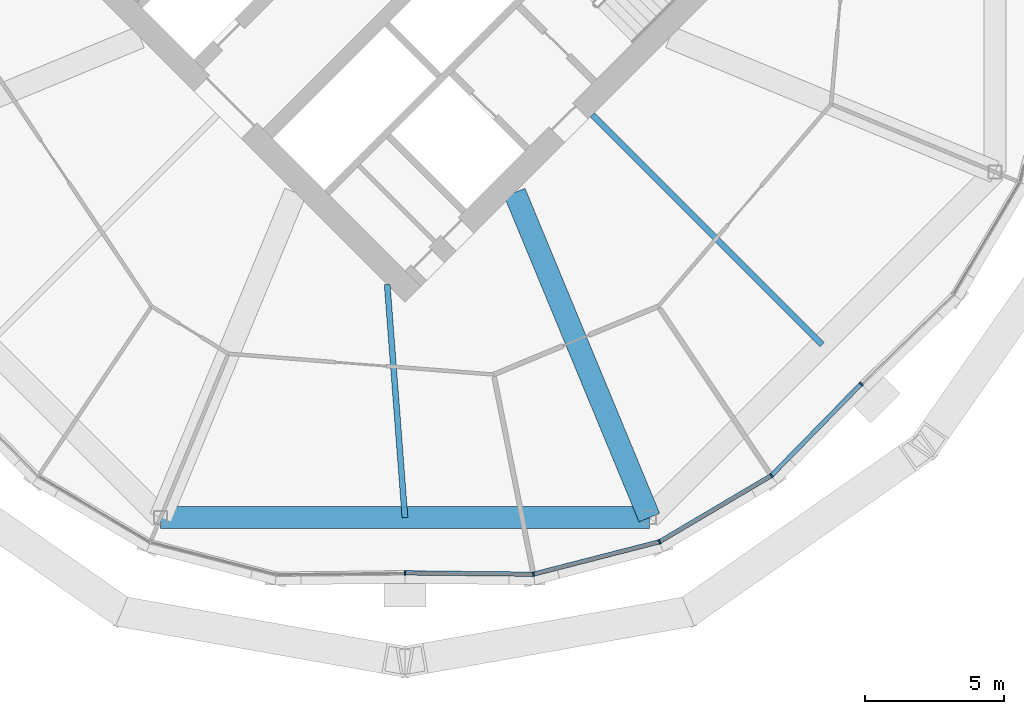
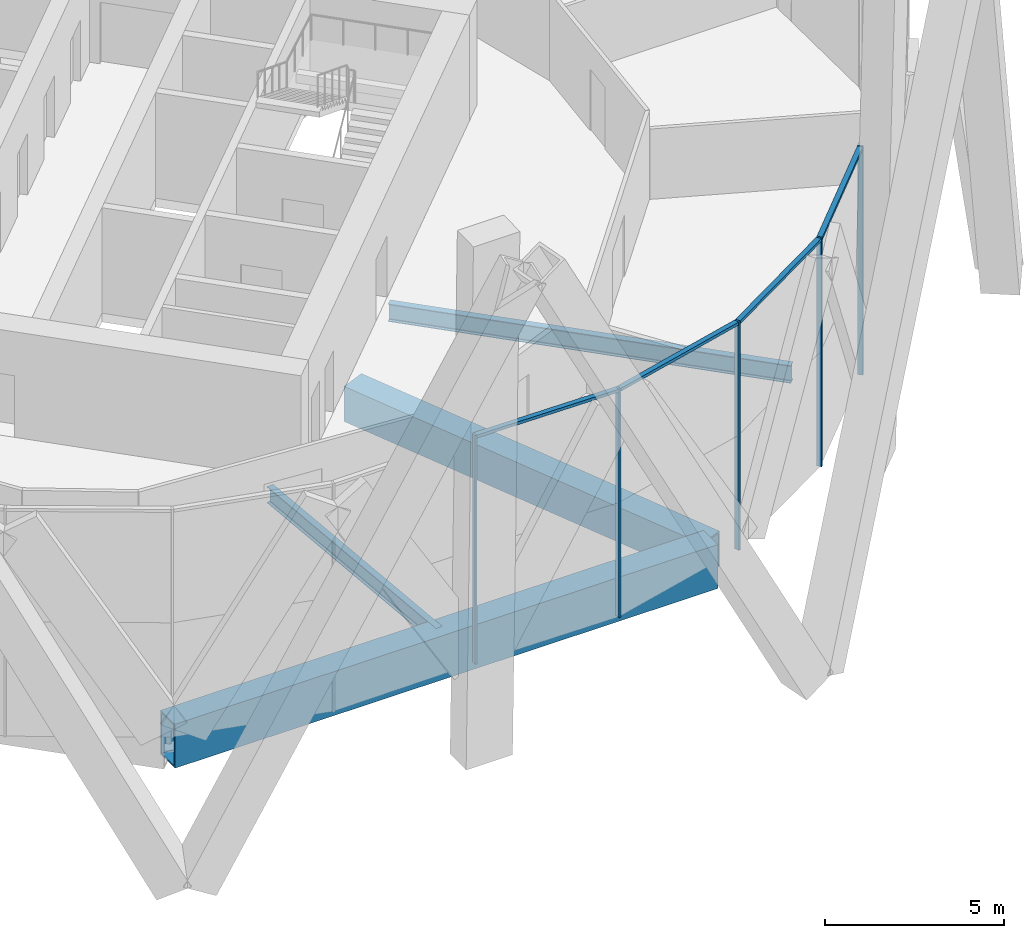
# One storey, part 12 of 31: 9 members, 4 beams, 2 elements without a shape of their own.
"""IFC4 building model written with IfcOpenShell, lengths in metres."""

from ifc_helpers import new_model, si_unit, direction, frame, origin, origin_2d, place, context, subcontext, project, spatial, rectangle, hollow_rectangle, i_section, extrude, material, material_profile, profile_set, type_object, element, aggregate, save


model = new_model("IFC4")

# Units and contexts
model_context = context("Model", 3, precision=1e-05, world=origin(), true_north=direction((0.0, 1.0)))
body_context = subcontext(model_context, "Body", "Model", "MODEL_VIEW")
ifc_project = project(units=[si_unit("LENGTHUNIT", "METRE"), si_unit("AREAUNIT", "SQUARE_METRE"), si_unit("VOLUMEUNIT", "CUBIC_METRE"), si_unit("PLANEANGLEUNIT", "RADIAN"), si_unit("MASSUNIT", "GRAM", prefix="KILO")], contexts=[model_context])

# Site, building, storey
site_placement = place(None, origin())
site = spatial("IfcSite", under=ifc_project, at=site_placement, CompositionType="ELEMENT")
building_placement = place(site_placement, origin())
building = spatial("IfcBuilding", under=site, at=building_placement, Name="Ogive Gate Towers", CompositionType="ELEMENT")
storey_placement = place(building_placement, frame((0.0, 0.0, 55.800048828125)))
storey = spatial("IfcBuildingStorey", under=building, at=storey_placement, Name="L12", CompositionType="ELEMENT", Elevation=55.800048828125)

# Beams
ifc_material_1 = material(Name="Steel SM460", Category="steel")
ifc_material_profile_1 = material_profile(ifc_material_1, hollow_rectangle(XDim=0.800048828125, YDim=1.5, WallThickness=0.06005859375, at=origin_2d()), Name="BX 1500x800x60")
ifc_profile_set_1 = profile_set([ifc_material_profile_1], Name="Steel SM460")
beam_type_1 = type_object("IfcBeamType", Name="Edge girder BX 1500x800x60", PredefinedType="BEAM", material=ifc_profile_set_1)
beam_1_placement = place(storey_placement, frame((27.236572265625, -21.15673828125, -1.050048828125), z_axis=(1.0, 0.0, 0.0), x_axis=(0.0, 1.0, 0.0)))
element("IfcBeam", 1, at=beam_1_placement, inside=storey, type_object=beam_type_1, Name="T2/L12/SBM018", PredefinedType="BEAM", context=body_context, shape_type="SweptSolid", body=[
    extrude(hollow_rectangle(XDim=0.800048828125, YDim=1.5, WallThickness=0.06005859375, at=origin_2d()), origin(), (0.0, 0.0, 1.0), 17.52685546875),
])
ifc_material_2 = material(Name="Steel SM355", Category="steel")
ifc_material_profile_2 = material_profile(ifc_material_2, i_section(OverallWidth=0.2099609375, OverallDepth=0.550048828125, WebThickness=0.010986328125, FlangeThickness=0.01708984375, FilletRadius=0.02392578125, at=origin_2d()), Name="IPE 550")
ifc_profile_set_2 = profile_set([ifc_material_profile_2], Name="Steel SM355")
beam_type_2 = type_object("IfcBeamType", Name="Radial floor beam IPE 550", PredefinedType="BEAM", material=ifc_profile_set_2)
beam_2_placement = place(storey_placement, frame((35.363525390625, -12.798583984375, -0.574951171875), z_axis=(0.075930303007, -0.997113127526, 0.0), x_axis=(0.997113127526, 0.075930303007, 0.0)))
element("IfcBeam", 2, at=beam_2_placement, inside=storey, type_object=beam_type_2, Name="T2/L12/SBM004", PredefinedType="BEAM", context=body_context, shape_type="SweptSolid", body=[
    extrude(i_section(OverallWidth=0.2099609375, OverallDepth=0.550048828125, WebThickness=0.010986328125, FlangeThickness=0.01708984375, FilletRadius=0.02392578125, at=origin_2d()), origin(), (0.0, 0.0, 1.0), 8.38232421875),
])
ifc_material_profile_3 = material_profile(ifc_material_2, i_section(OverallWidth=0.219970703125, OverallDepth=0.60009765625, WebThickness=0.011962890625, FlangeThickness=0.01904296875, FilletRadius=0.02392578125, at=origin_2d()), Name="IPE 600")
ifc_profile_set_3 = profile_set([ifc_material_profile_3], Name="Steel SM355")
beam_type_3 = type_object("IfcBeamType", Name="Radial floor beam IPE 600", PredefinedType="BEAM", material=ifc_profile_set_3)
beam_3_placement = place(storey_placement, frame((42.717529296875, -6.717529296875, -0.60009765625), z_axis=(0.707106781187, -0.707106781187, 0.0), x_axis=(0.707106781187, 0.707106781187, 0.0)))
element("IfcBeam", 3, at=beam_3_placement, inside=storey, type_object=beam_type_3, Name="T2/L12/SBM006", PredefinedType="BEAM", context=body_context, shape_type="SweptSolid", body=[
    extrude(i_section(OverallWidth=0.219970703125, OverallDepth=0.60009765625, WebThickness=0.011962890625, FlangeThickness=0.01904296875, FilletRadius=0.02392578125, at=origin_2d()), origin(), (0.0, 0.0, 1.0), 11.656982421875),
])

# Curtain wall, member
ifc_material_3 = material(Name="Pale metal aluminium", Category="aluminium")
curtain_wall_type = type_object("IfcCurtainWallType", Name="Tower unitised wall, low zone", PredefinedType="NOTDEFINED", material=ifc_material_3)
curtain_wall_1_placement = place(storey_placement, origin())
curtain_wall_1 = element("IfcCurtainWall", 4, at=curtain_wall_1_placement, inside=storey, type_object=curtain_wall_type, Name="CW1 T2 ECW06", PredefinedType="NOTDEFINED")
ifc_material_profile_4 = material_profile(ifc_material_3, rectangle(XDim=0.159912109375, YDim=0.06005859375, at=origin_2d()), Name="60 x 160 aluminium box")
ifc_profile_set_4 = profile_set([ifc_material_profile_4], Name="Pale metal aluminium")
member_type_1 = type_object("IfcMemberType", Name="Tower unitised wall, low zone mullion 60 x 160", PredefinedType="MULLION", material=ifc_profile_set_4)
member_1_placement = place(storey_placement, frame((35.999755859375, -23.139892578125, -0.300048828125), z_axis=(0.0, 0.0, 1.0), x_axis=(0.010279808233, -0.999947161375, 0.0)))
member_1 = element("IfcMember", 5, at=member_1_placement, type_object=member_type_1, Name="CW1 mullion", PredefinedType="MULLION", context=body_context, shape_type="SweptSolid", body=[
    extrude(rectangle(XDim=0.159912109375, YDim=0.06005859375, at=origin_2d()), origin(), (0.0, 0.0, 1.0), 7.800048828125),
])
aggregate(curtain_wall_1, [member_1])

# Curtain wall, members
curtain_wall_2_placement = place(storey_placement, origin())
curtain_wall_2 = element("IfcCurtainWall", 6, at=curtain_wall_2_placement, inside=storey, type_object=curtain_wall_type, Name="CW1 T2 ECW07", PredefinedType="NOTDEFINED")
member_2_placement = place(storey_placement, frame((40.606201171875, -23.1875, -0.300048828125), z_axis=(0.0, 0.0, 1.0), x_axis=(0.120379411626, -0.992727957326, 0.0)))
member_2 = element("IfcMember", 7, at=member_2_placement, type_object=member_type_1, Name="CW1 mullion", PredefinedType="MULLION", context=body_context, shape_type="SweptSolid", body=[
    extrude(rectangle(XDim=0.159912109375, YDim=0.06005859375, at=origin_2d()), origin(), (0.0, 0.0, 1.0), 7.800048828125),
])
member_3_placement = place(storey_placement, frame((45.12353515625, -22.026123046875, -0.300048828125), z_axis=(0.0, 0.0, 1.0), x_axis=(0.382683432365, -0.923879532511, 0.0)))
member_3 = element("IfcMember", 8, at=member_3_placement, type_object=member_type_1, Name="CW1 mullion", PredefinedType="MULLION", context=body_context, shape_type="SweptSolid", body=[
    extrude(rectangle(XDim=0.159912109375, YDim=0.06005859375, at=origin_2d()), origin(), (0.0, 0.0, 1.0), 7.800048828125),
])
member_4_placement = place(storey_placement, frame((49.13916015625, -19.653076171875, -0.300048828125), z_axis=(0.0, 0.0, 1.0), x_axis=(0.616843572223, -0.787085768775, 0.0)))
member_4 = element("IfcMember", 9, at=member_4_placement, type_object=member_type_1, Name="CW1 mullion", PredefinedType="MULLION", context=body_context, shape_type="SweptSolid", body=[
    extrude(rectangle(XDim=0.159912109375, YDim=0.06005859375, at=origin_2d()), origin(), (0.0, 0.0, 1.0), 7.800048828125),
])
member_5_placement = place(storey_placement, frame((52.3623046875, -16.362548828125, -0.300048828125), z_axis=(0.0, 0.0, 1.0), x_axis=(0.714350554462, -0.699788028863, 0.0)))
member_5 = element("IfcMember", 10, at=member_5_placement, type_object=member_type_1, Name="CW1 mullion", PredefinedType="MULLION", context=body_context, shape_type="SweptSolid", body=[
    extrude(rectangle(XDim=0.159912109375, YDim=0.06005859375, at=origin_2d()), origin(), (0.0, 0.0, 1.0), 7.800048828125),
])
ifc_material_profile_5 = material_profile(ifc_material_3, rectangle(XDim=0.159912109375, YDim=0.10009765625, at=origin_2d()), Name="100 x 160 aluminium box")
ifc_profile_set_5 = profile_set([ifc_material_profile_5], Name="Pale metal aluminium")
member_type_2 = type_object("IfcMemberType", Name="Tower unitised wall, low zone transom 100 x 160", PredefinedType="USERDEFINED", material=ifc_profile_set_5)
member_6_placement = place(storey_placement, frame((36.0302734375, -23.140380859375, 7.449951171875), z_axis=(0.999947449507, -0.010251742504, 0.0), x_axis=(0.010251742504, 0.999947449507, 0.0)))
member_6 = element("IfcMember", 11, at=member_6_placement, type_object=member_type_2, Name="CW1 transom", ObjectType="TRANSOM", PredefinedType="USERDEFINED", context=body_context, shape_type="SweptSolid", body=[
    extrude(rectangle(XDim=0.159912109375, YDim=0.10009765625, at=origin_2d()), origin(), (0.0, 0.0, 1.0), 4.548583984375),
])
member_7_placement = place(storey_placement, frame((40.632568359375, -23.1806640625, 7.449951171875), z_axis=(0.968497677012, 0.249022588577, 0.0), x_axis=(-0.249022588577, 0.968497677012, 0.0)))
member_7 = element("IfcMember", 12, at=member_7_placement, type_object=member_type_2, Name="CW1 transom", ObjectType="TRANSOM", PredefinedType="USERDEFINED", context=body_context, shape_type="SweptSolid", body=[
    extrude(rectangle(XDim=0.159912109375, YDim=0.10009765625, at=origin_2d()), origin(), (0.0, 0.0, 1.0), 4.60986328125),
])
member_8_placement = place(storey_placement, frame((45.14697265625, -22.01220703125, 7.449951171875), z_axis=(0.860885405398, 0.508798898164, 0.0), x_axis=(-0.508798898164, 0.860885405398, 0.0)))
member_8 = element("IfcMember", 13, at=member_8_placement, type_object=member_type_2, Name="CW1 transom", ObjectType="TRANSOM", PredefinedType="USERDEFINED", context=body_context, shape_type="SweptSolid", body=[
    extrude(rectangle(XDim=0.159912109375, YDim=0.10009765625, at=origin_2d()), origin(), (0.0, 0.0, 1.0), 4.60986328125),
])
member_9_placement = place(storey_placement, frame((49.158203125, -19.63330078125, 7.449951171875), z_axis=(0.699796604064, 0.714342153972, 0.0), x_axis=(-0.714342153972, 0.699796604064, 0.0)))
member_9 = element("IfcMember", 14, at=member_9_placement, type_object=member_type_2, Name="CW1 transom", ObjectType="TRANSOM", PredefinedType="USERDEFINED", context=body_context, shape_type="SweptSolid", body=[
    extrude(rectangle(XDim=0.159912109375, YDim=0.10009765625, at=origin_2d()), origin(), (0.0, 0.0, 1.0), 4.548583984375),
])
aggregate(curtain_wall_2, [member_2, member_6, member_3, member_7, member_4, member_8, member_5, member_9])

# Beam
ifc_material_profile_6 = material_profile(ifc_material_1, hollow_rectangle(XDim=0.800048828125, YDim=1.199951171875, WallThickness=0.050048828125, at=origin_2d()), Name="BX 1200x800x50")
ifc_profile_set_6 = profile_set([ifc_material_profile_6], Name="Steel SM460")
beam_type_4 = type_object("IfcBeamType", Name="Transfer radial beam BX 1200x800x50", PredefinedType="BEAM", material=ifc_profile_set_6)
beam_4_placement = place(storey_placement, frame((39.93505859375, -9.5, -0.900146484375), z_axis=(0.382682759347, -0.923879811284, 0.0), x_axis=(0.923879811284, 0.382682759347, 0.0)))
element("IfcBeam", 15, at=beam_4_placement, inside=storey, type_object=beam_type_4, Name="T2/L12/SBM005", PredefinedType="BEAM", context=body_context, shape_type="SweptSolid", body=[
    extrude(hollow_rectangle(XDim=0.800048828125, YDim=1.199951171875, WallThickness=0.050048828125, at=origin_2d()), origin(), (0.0, 0.0, 1.0), 12.6171875),
])

save(model, "model.ifc")
